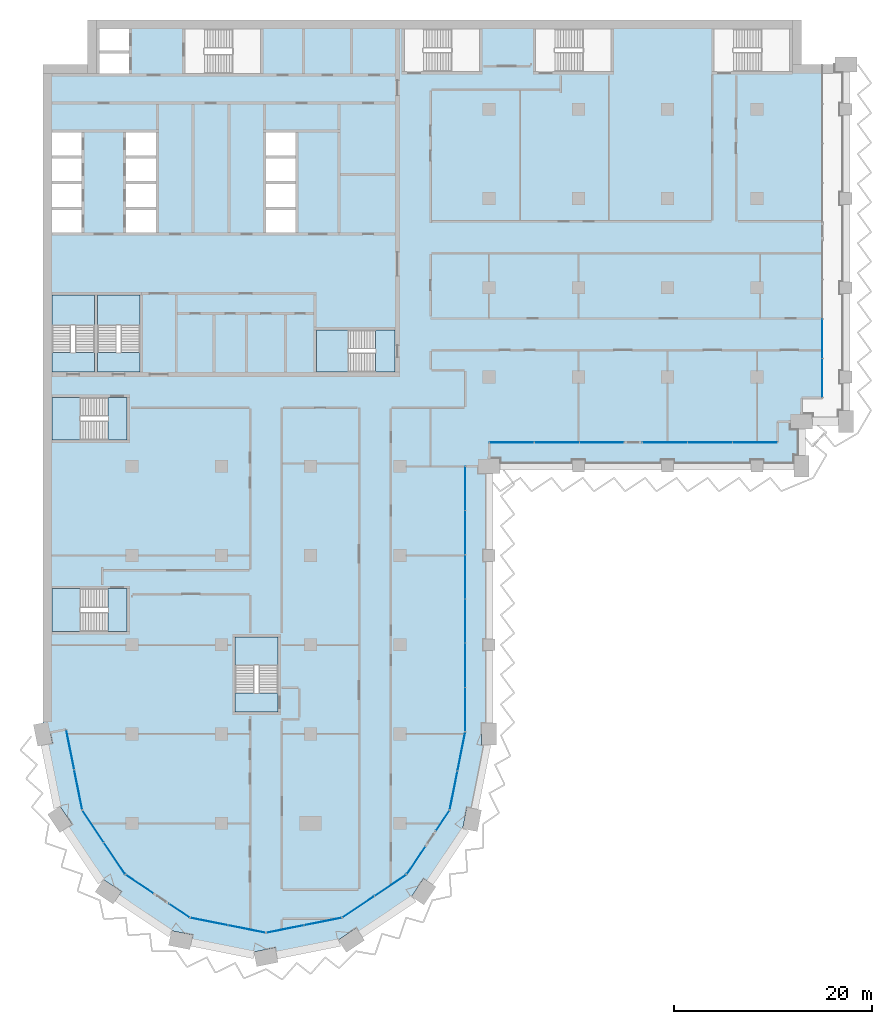
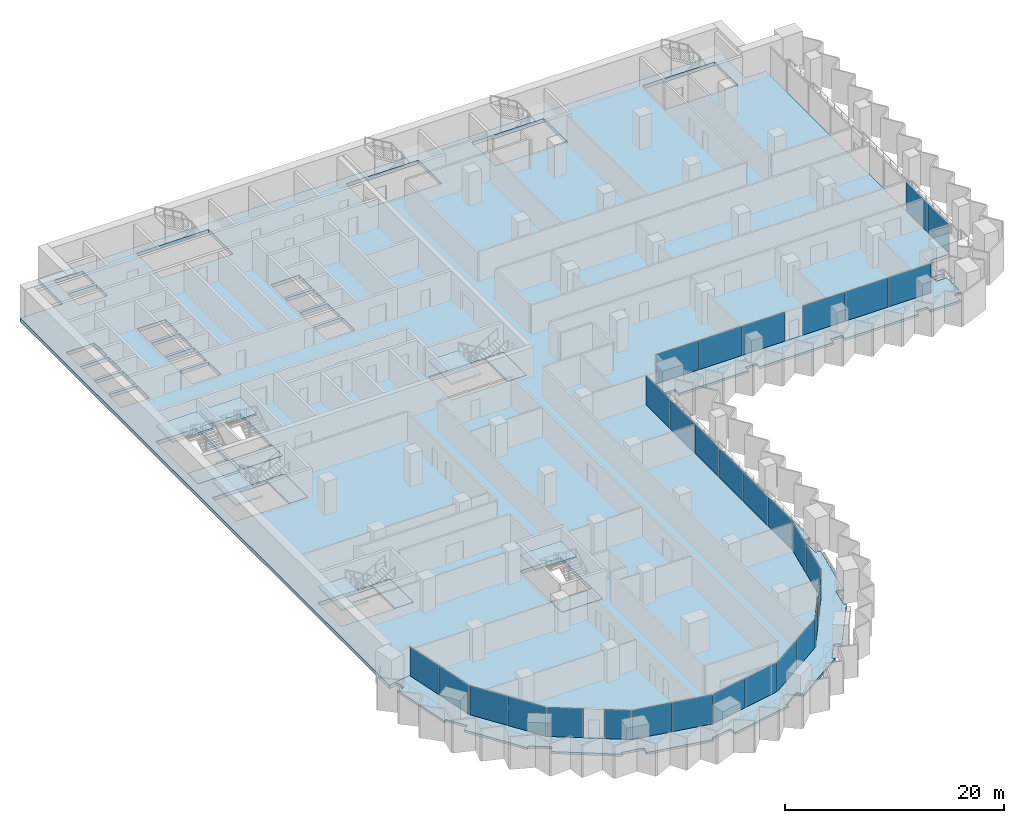
# One storey, part 7 of 23: 30 plates, 15 slabs, 20 elements without a shape of their own.
"""IFC4 building model written with IfcOpenShell, lengths in metres."""

from ifc_helpers import new_model, si_unit, direction, frame, origin, origin_2d, place, context, subcontext, project, spatial, polyline, rectangle, outline, extrude, material, layer, layer_set, type_object, element, aggregate, save


model = new_model("IFC4")

# Units and contexts
model_context = context("Model", 3, precision=1e-05, world=origin(), true_north=direction((0.0, 1.0)))
body_context = subcontext(model_context, "Body", "Model", "MODEL_VIEW")
ifc_project = project(units=[si_unit("LENGTHUNIT", "METRE"), si_unit("AREAUNIT", "SQUARE_METRE"), si_unit("VOLUMEUNIT", "CUBIC_METRE"), si_unit("PLANEANGLEUNIT", "RADIAN"), si_unit("MASSUNIT", "GRAM", prefix="KILO")], contexts=[model_context])

# Site, building, storey
site_placement = place(None, origin())
site = spatial("IfcSite", under=ifc_project, at=site_placement, CompositionType="ELEMENT")
building_placement = place(site_placement, origin())
building = spatial("IfcBuilding", under=site, at=building_placement, Name="Hunhe Ridgeline Campus", CompositionType="ELEMENT")
storey_placement = place(building_placement, frame((0.0, 0.0, 103.300048828125)))
storey = spatial("IfcBuildingStorey", under=building, at=storey_placement, Name="L25", CompositionType="ELEMENT", Elevation=103.300048828125)

# Curtain wall, plates
ifc_material_1 = material(Name="Aluminium 6063", Category="aluminium")
curtain_wall_type_1 = type_object("IfcCurtainWallType", Name="Curtain wall CW-5", PredefinedType="NOTDEFINED", material=ifc_material_1)
curtain_wall_1_placement = place(storey_placement, origin())
curtain_wall_1 = element("IfcCurtainWall", 1, at=curtain_wall_1_placement, inside=storey, type_object=curtain_wall_type_1, Name="Curtain wall 01", PredefinedType="NOTDEFINED")
ifc_material_2 = material(Name="Low-e laminated glass", Category="glass")
ifc_layer_1 = layer(ifc_material_2, 0.028076171875)
ifc_layer_set_1 = layer_set([ifc_layer_1], Name="Curtain wall glass panel 28 low-e laminated")
plate_type = type_object("IfcPlateType", Name="Curtain wall glass panel 28 low-e laminated", PredefinedType="CURTAIN_PANEL", material=ifc_layer_set_1)
plate_1_placement = place(storey_placement, frame((2.76318359375, 25.416015625, 0.0), z_axis=(0.0, 0.0, 1.0), x_axis=(0.195095347137, -0.980784280831, 0.0)))
plate_1 = element("IfcPlate", 2, at=plate_1_placement, type_object=plate_type, Name="CW-5 panel 1", PredefinedType="CURTAIN_PANEL", context=body_context, shape_type="SweptSolid", body=[
    extrude(rectangle(XDim=4.0458984375, YDim=0.028076171875, at=origin_2d()), origin(), (0.0, 0.0, 1.0), 3.22998046875),
])
plate_2_placement = place(storey_placement, frame((3.566162109375, 21.379150390625, 0.0), z_axis=(0.0, 0.0, 1.0), x_axis=(0.195095347137, -0.980784280831, 0.0)))
plate_2 = element("IfcPlate", 3, at=plate_2_placement, type_object=plate_type, Name="CW-5 panel 2", PredefinedType="CURTAIN_PANEL", context=body_context, shape_type="SweptSolid", body=[
    extrude(rectangle(XDim=4.0458984375, YDim=0.028076171875, at=origin_2d()), origin(), (0.0, 0.0, 1.0), 3.22998046875),
])
aggregate(curtain_wall_1, [plate_1, plate_2])

curtain_wall_2_placement = place(storey_placement, origin())
curtain_wall_2 = element("IfcCurtainWall", 4, at=curtain_wall_2_placement, inside=storey, type_object=curtain_wall_type_1, Name="Curtain wall 02", PredefinedType="NOTDEFINED")
plate_3_placement = place(storey_placement, frame((5.07080078125, 17.685546875, 0.0), z_axis=(0.0, 0.0, 1.0), x_axis=(0.555570274596, -0.831469584522, 0.0)))
plate_3 = element("IfcPlate", 5, at=plate_3_placement, type_object=plate_type, Name="CW-5 panel 1", PredefinedType="CURTAIN_PANEL", context=body_context, shape_type="SweptSolid", body=[
    extrude(rectangle(XDim=3.806884765625, YDim=0.028076171875, at=origin_2d()), origin(), (0.0, 0.0, 1.0), 3.22998046875),
])
plate_4_placement = place(storey_placement, frame((7.224609375, 14.4619140625, 0.0), z_axis=(0.0, 0.0, 1.0), x_axis=(0.555570274596, -0.831469584522, 0.0)))
plate_4 = element("IfcPlate", 6, at=plate_4_placement, type_object=plate_type, Name="CW-5 panel 2", PredefinedType="CURTAIN_PANEL", context=body_context, shape_type="SweptSolid", body=[
    extrude(rectangle(XDim=3.806884765625, YDim=0.028076171875, at=origin_2d()), origin(), (0.0, 0.0, 1.0), 3.22998046875),
])
aggregate(curtain_wall_2, [plate_3, plate_4])

# Curtain wall, plate
curtain_wall_3_placement = place(storey_placement, origin())
curtain_wall_3 = element("IfcCurtainWall", 7, at=curtain_wall_3_placement, inside=storey, type_object=curtain_wall_type_1, Name="Curtain wall 03", PredefinedType="NOTDEFINED")
plate_5_placement = place(storey_placement, frame((9.76025390625, 11.859375, 0.0), z_axis=(0.0, 0.0, 1.0), x_axis=(0.831469595944, -0.555570257501, 0.0)))
plate_5 = element("IfcPlate", 8, at=plate_5_placement, type_object=plate_type, Name="CW-5 panel 1", PredefinedType="CURTAIN_PANEL", context=body_context, shape_type="SweptSolid", body=[
    extrude(rectangle(XDim=3.322021484375, YDim=0.028076171875, at=origin_2d()), origin(), (0.0, 0.0, 1.0), 3.22998046875),
])
aggregate(curtain_wall_3, [plate_5])

curtain_wall_4_placement = place(storey_placement, origin())
curtain_wall_4 = element("IfcCurtainWall", 9, at=curtain_wall_4_placement, inside=storey, type_object=curtain_wall_type_1, Name="Curtain wall 04", PredefinedType="NOTDEFINED")
plate_6_placement = place(storey_placement, frame((13.761474609375, 9.18603515625, 0.0), z_axis=(0.0, 0.0, 1.0), x_axis=(0.831469510353, -0.555570385598, 0.0)))
plate_6 = element("IfcPlate", 10, at=plate_6_placement, type_object=plate_type, Name="CW-5 panel 1", PredefinedType="CURTAIN_PANEL", context=body_context, shape_type="SweptSolid", body=[
    extrude(rectangle(XDim=2.421875, YDim=0.028076171875, at=origin_2d()), origin(), (0.0, 0.0, 1.0), 3.22998046875),
])
aggregate(curtain_wall_4, [plate_6])

# Curtain wall, plates
curtain_wall_5_placement = place(storey_placement, origin())
curtain_wall_5 = element("IfcCurtainWall", 11, at=curtain_wall_5_placement, inside=storey, type_object=curtain_wall_type_1, Name="Curtain wall 05", PredefinedType="NOTDEFINED")
plate_7_placement = place(storey_placement, frame((16.761962890625, 8.08935546875, 0.0), z_axis=(0.0, 0.0, 1.0), x_axis=(0.980785275326, -0.195090347539, 0.0)))
plate_7 = element("IfcPlate", 12, at=plate_7_placement, type_object=plate_type, Name="CW-5 panel 1", PredefinedType="CURTAIN_PANEL", context=body_context, shape_type="SweptSolid", body=[
    extrude(rectangle(XDim=3.806884765625, YDim=0.028076171875, at=origin_2d()), origin(), (0.0, 0.0, 1.0), 3.22998046875),
])
plate_8_placement = place(storey_placement, frame((20.564453125, 7.3330078125, 0.0), z_axis=(0.0, 0.0, 1.0), x_axis=(0.980785275326, -0.195090347539, 0.0)))
plate_8 = element("IfcPlate", 13, at=plate_8_placement, type_object=plate_type, Name="CW-5 panel 2", PredefinedType="CURTAIN_PANEL", context=body_context, shape_type="SweptSolid", body=[
    extrude(rectangle(XDim=3.806884765625, YDim=0.028076171875, at=origin_2d()), origin(), (0.0, 0.0, 1.0), 3.22998046875),
])
aggregate(curtain_wall_5, [plate_7, plate_8])

curtain_wall_6_placement = place(storey_placement, origin())
curtain_wall_6 = element("IfcCurtainWall", 14, at=curtain_wall_6_placement, inside=storey, type_object=curtain_wall_type_1, Name="Curtain wall 06", PredefinedType="NOTDEFINED")
plate_9_placement = place(storey_placement, frame((24.435546875, 7.3330078125, 0.0), z_axis=(0.0, 0.0, 1.0), x_axis=(0.980785275326, 0.195090347539, 0.0)))
plate_9 = element("IfcPlate", 15, at=plate_9_placement, type_object=plate_type, Name="CW-5 panel 1", PredefinedType="CURTAIN_PANEL", context=body_context, shape_type="SweptSolid", body=[
    extrude(rectangle(XDim=3.806884765625, YDim=0.028076171875, at=origin_2d()), origin(), (0.0, 0.0, 1.0), 3.22998046875),
])
plate_10_placement = place(storey_placement, frame((28.238037109375, 8.08935546875, 0.0), z_axis=(0.0, 0.0, 1.0), x_axis=(0.980785275326, 0.195090347539, 0.0)))
plate_10 = element("IfcPlate", 16, at=plate_10_placement, type_object=plate_type, Name="CW-5 panel 2", PredefinedType="CURTAIN_PANEL", context=body_context, shape_type="SweptSolid", body=[
    extrude(rectangle(XDim=3.806884765625, YDim=0.028076171875, at=origin_2d()), origin(), (0.0, 0.0, 1.0), 3.22998046875),
])
aggregate(curtain_wall_6, [plate_9, plate_10])

curtain_wall_7_placement = place(storey_placement, origin())
curtain_wall_7 = element("IfcCurtainWall", 17, at=curtain_wall_7_placement, inside=storey, type_object=curtain_wall_type_1, Name="Curtain wall 07", PredefinedType="NOTDEFINED")
plate_11_placement = place(storey_placement, frame((31.814453125, 9.57080078125, 0.0), z_axis=(0.0, 0.0, 1.0), x_axis=(0.831469584522, 0.555570274596, 0.0)))
plate_11 = element("IfcPlate", 18, at=plate_11_placement, type_object=plate_type, Name="CW-5 panel 1", PredefinedType="CURTAIN_PANEL", context=body_context, shape_type="SweptSolid", body=[
    extrude(rectangle(XDim=3.806884765625, YDim=0.028076171875, at=origin_2d()), origin(), (0.0, 0.0, 1.0), 3.22998046875),
])
plate_12_placement = place(storey_placement, frame((35.0380859375, 11.724609375, 0.0), z_axis=(0.0, 0.0, 1.0), x_axis=(0.831469584522, 0.555570274596, 0.0)))
plate_12 = element("IfcPlate", 19, at=plate_12_placement, type_object=plate_type, Name="CW-5 panel 2", PredefinedType="CURTAIN_PANEL", context=body_context, shape_type="SweptSolid", body=[
    extrude(rectangle(XDim=3.806884765625, YDim=0.028076171875, at=origin_2d()), origin(), (0.0, 0.0, 1.0), 3.22998046875),
])
aggregate(curtain_wall_7, [plate_11, plate_12])

# Curtain wall, plate
curtain_wall_8_placement = place(storey_placement, origin())
curtain_wall_8 = element("IfcCurtainWall", 20, at=curtain_wall_8_placement, inside=storey, type_object=curtain_wall_type_1, Name="Curtain wall 08", PredefinedType="NOTDEFINED")
plate_13_placement = place(storey_placement, frame((37.640625, 14.26025390625, 0.0), z_axis=(0.0, 0.0, 1.0), x_axis=(0.555570257501, 0.831469595944, 0.0)))
plate_13 = element("IfcPlate", 21, at=plate_13_placement, type_object=plate_type, Name="CW-5 panel 1", PredefinedType="CURTAIN_PANEL", context=body_context, shape_type="SweptSolid", body=[
    extrude(rectangle(XDim=3.322021484375, YDim=0.028076171875, at=origin_2d()), origin(), (0.0, 0.0, 1.0), 3.22998046875),
])
aggregate(curtain_wall_8, [plate_13])

curtain_wall_9_placement = place(storey_placement, origin())
curtain_wall_9 = element("IfcCurtainWall", 22, at=curtain_wall_9_placement, inside=storey, type_object=curtain_wall_type_1, Name="Curtain wall 09", PredefinedType="NOTDEFINED")
plate_14_placement = place(storey_placement, frame((40.31396484375, 18.261474609375, 0.0), z_axis=(0.0, 0.0, 1.0), x_axis=(0.555570385598, 0.831469510353, 0.0)))
plate_14 = element("IfcPlate", 23, at=plate_14_placement, type_object=plate_type, Name="CW-5 panel 1", PredefinedType="CURTAIN_PANEL", context=body_context, shape_type="SweptSolid", body=[
    extrude(rectangle(XDim=2.421875, YDim=0.028076171875, at=origin_2d()), origin(), (0.0, 0.0, 1.0), 3.22998046875),
])
aggregate(curtain_wall_9, [plate_14])

# Curtain wall, plates
curtain_wall_10_placement = place(storey_placement, origin())
curtain_wall_10 = element("IfcCurtainWall", 24, at=curtain_wall_10_placement, inside=storey, type_object=curtain_wall_type_1, Name="Curtain wall 10", PredefinedType="NOTDEFINED")
plate_15_placement = place(storey_placement, frame((41.42236328125, 21.321044921875, 0.0), z_axis=(0.0, 0.0, 1.0), x_axis=(0.195090299215, 0.980785284939, 0.0)))
plate_15 = element("IfcPlate", 25, at=plate_15_placement, type_object=plate_type, Name="CW-5 panel 1", PredefinedType="CURTAIN_PANEL", context=body_context, shape_type="SweptSolid", body=[
    extrude(rectangle(XDim=3.927490234375, YDim=0.028076171875, at=origin_2d()), origin(), (0.0, 0.0, 1.0), 3.22998046875),
])
plate_16_placement = place(storey_placement, frame((42.2021484375, 25.24169921875, 0.0), z_axis=(0.0, 0.0, 1.0), x_axis=(0.195090299215, 0.980785284939, 0.0)))
plate_16 = element("IfcPlate", 26, at=plate_16_placement, type_object=plate_type, Name="CW-5 panel 2", PredefinedType="CURTAIN_PANEL", context=body_context, shape_type="SweptSolid", body=[
    extrude(rectangle(XDim=3.927490234375, YDim=0.028076171875, at=origin_2d()), origin(), (0.0, 0.0, 1.0), 3.22998046875),
])
aggregate(curtain_wall_10, [plate_15, plate_16])

curtain_wall_type_2 = type_object("IfcCurtainWallType", Name="Curtain wall CW-1", PredefinedType="NOTDEFINED", material=ifc_material_1)
curtain_wall_11_placement = place(storey_placement, origin())
curtain_wall_11 = element("IfcCurtainWall", 27, at=curtain_wall_11_placement, inside=storey, type_object=curtain_wall_type_2, Name="Curtain wall 11", PredefinedType="NOTDEFINED")
plate_17_placement = place(storey_placement, frame((42.59912109375, 29.48193359375, 0.0), z_axis=(0.0, 0.0, 1.0), x_axis=(1.0947456e-05, 0.99999999994, 0.0)))
plate_17 = element("IfcPlate", 28, at=plate_17_placement, type_object=plate_type, Name="CW-1 panel 1", PredefinedType="CURTAIN_PANEL", context=body_context, shape_type="SweptSolid", body=[
    extrude(rectangle(XDim=4.37060546875, YDim=0.028076171875, at=origin_2d()), origin(), (0.0, 0.0, 1.0), 3.239990234375),
])
plate_18_placement = place(storey_placement, frame((42.59912109375, 33.927490234375, 0.0), z_axis=(0.0, 0.0, 1.0), x_axis=(1.0947456e-05, 0.99999999994, 0.0)))
plate_18 = element("IfcPlate", 29, at=plate_18_placement, type_object=plate_type, Name="CW-1 panel 2", PredefinedType="CURTAIN_PANEL", context=body_context, shape_type="SweptSolid", body=[
    extrude(rectangle(XDim=4.400634765625, YDim=0.028076171875, at=origin_2d()), origin(), (0.0, 0.0, 1.0), 3.239990234375),
])
plate_19_placement = place(storey_placement, frame((42.59912109375, 38.38818359375, 0.0), z_axis=(0.0, 0.0, 1.0), x_axis=(1.0947456e-05, 0.99999999994, 0.0)))
plate_19 = element("IfcPlate", 30, at=plate_19_placement, type_object=plate_type, Name="CW-1 panel 3", PredefinedType="CURTAIN_PANEL", context=body_context, shape_type="SweptSolid", body=[
    extrude(rectangle(XDim=4.400634765625, YDim=0.028076171875, at=origin_2d()), origin(), (0.0, 0.0, 1.0), 3.239990234375),
])
plate_20_placement = place(storey_placement, frame((42.59912109375, 42.848876953125, 0.0), z_axis=(0.0, 0.0, 1.0), x_axis=(1.0947456e-05, 0.99999999994, 0.0)))
plate_20 = element("IfcPlate", 31, at=plate_20_placement, type_object=plate_type, Name="CW-1 panel 4", PredefinedType="CURTAIN_PANEL", context=body_context, shape_type="SweptSolid", body=[
    extrude(rectangle(XDim=4.400634765625, YDim=0.028076171875, at=origin_2d()), origin(), (0.0, 0.0, 1.0), 3.239990234375),
])
plate_21_placement = place(storey_placement, frame((42.59912109375, 47.3095703125, 0.0), z_axis=(0.0, 0.0, 1.0), x_axis=(1.0947456e-05, 0.99999999994, 0.0)))
plate_21 = element("IfcPlate", 32, at=plate_21_placement, type_object=plate_type, Name="CW-1 panel 5", PredefinedType="CURTAIN_PANEL", context=body_context, shape_type="SweptSolid", body=[
    extrude(rectangle(XDim=4.400634765625, YDim=0.028076171875, at=origin_2d()), origin(), (0.0, 0.0, 1.0), 3.239990234375),
])
plate_22_placement = place(storey_placement, frame((42.599365234375, 51.75537109375, 0.0), z_axis=(0.0, 0.0, 1.0), x_axis=(1.0947456e-05, 0.99999999994, 0.0)))
plate_22 = element("IfcPlate", 33, at=plate_22_placement, type_object=plate_type, Name="CW-1 panel 6", PredefinedType="CURTAIN_PANEL", context=body_context, shape_type="SweptSolid", body=[
    extrude(rectangle(XDim=4.37060546875, YDim=0.028076171875, at=origin_2d()), origin(), (0.0, 0.0, 1.0), 3.239990234375),
])
aggregate(curtain_wall_11, [plate_17, plate_18, plate_19, plate_20, plate_21, plate_22])

curtain_wall_12_placement = place(storey_placement, origin())
curtain_wall_12 = element("IfcCurtainWall", 34, at=curtain_wall_12_placement, inside=storey, type_object=curtain_wall_type_2, Name="Curtain wall 12", PredefinedType="NOTDEFINED")
plate_23_placement = place(storey_placement, frame((47.289794921875, 56.40087890625, 0.0), z_axis=(0.0, 0.0, 1.0), x_axis=(1.0, 1.4652e-07, 0.0)))
plate_23 = element("IfcPlate", 35, at=plate_23_placement, type_object=plate_type, Name="CW-1 panel 1", PredefinedType="CURTAIN_PANEL", context=body_context, shape_type="SweptSolid", body=[
    extrude(rectangle(XDim=4.4599609375, YDim=0.028076171875, at=origin_2d()), origin(), (0.0, 0.0, 1.0), 3.239990234375),
])
plate_24_placement = place(storey_placement, frame((51.82470703125, 56.40087890625, 0.0), z_axis=(0.0, 0.0, 1.0), x_axis=(1.0, 1.4652e-07, 0.0)))
plate_24 = element("IfcPlate", 36, at=plate_24_placement, type_object=plate_type, Name="CW-1 panel 2", PredefinedType="CURTAIN_PANEL", context=body_context, shape_type="SweptSolid", body=[
    extrude(rectangle(XDim=4.48974609375, YDim=0.028076171875, at=origin_2d()), origin(), (0.0, 0.0, 1.0), 3.239990234375),
])
plate_25_placement = place(storey_placement, frame((56.359619140625, 56.40087890625, 0.0), z_axis=(0.0, 0.0, 1.0), x_axis=(1.0, 1.4652e-07, 0.0)))
plate_25 = element("IfcPlate", 37, at=plate_25_placement, type_object=plate_type, Name="CW-1 panel 3", PredefinedType="CURTAIN_PANEL", context=body_context, shape_type="SweptSolid", body=[
    extrude(rectangle(XDim=4.4599609375, YDim=0.028076171875, at=origin_2d()), origin(), (0.0, 0.0, 1.0), 3.239990234375),
])
aggregate(curtain_wall_12, [plate_23, plate_24, plate_25])

curtain_wall_13_placement = place(storey_placement, origin())
curtain_wall_13 = element("IfcCurtainWall", 38, at=curtain_wall_13_placement, inside=storey, type_object=curtain_wall_type_2, Name="Curtain wall 13", PredefinedType="NOTDEFINED")
plate_26_placement = place(storey_placement, frame((62.7392578125, 56.40087890625, 0.0), z_axis=(0.0, 0.0, 1.0), x_axis=(1.0, 1.4652e-07, 0.0)))
plate_26 = element("IfcPlate", 39, at=plate_26_placement, type_object=plate_type, Name="CW-1 panel 1", PredefinedType="CURTAIN_PANEL", context=body_context, shape_type="SweptSolid", body=[
    extrude(rectangle(XDim=4.4599609375, YDim=0.028076171875, at=origin_2d()), origin(), (0.0, 0.0, 1.0), 3.239990234375),
])
plate_27_placement = place(storey_placement, frame((67.274169921875, 56.40087890625, 0.0), z_axis=(0.0, 0.0, 1.0), x_axis=(1.0, 1.4652e-07, 0.0)))
plate_27 = element("IfcPlate", 40, at=plate_27_placement, type_object=plate_type, Name="CW-1 panel 2", PredefinedType="CURTAIN_PANEL", context=body_context, shape_type="SweptSolid", body=[
    extrude(rectangle(XDim=4.48974609375, YDim=0.028076171875, at=origin_2d()), origin(), (0.0, 0.0, 1.0), 3.239990234375),
])
plate_28_placement = place(storey_placement, frame((71.80908203125, 56.40087890625, 0.0), z_axis=(0.0, 0.0, 1.0), x_axis=(1.0, 1.4652e-07, 0.0)))
plate_28 = element("IfcPlate", 41, at=plate_28_placement, type_object=plate_type, Name="CW-1 panel 3", PredefinedType="CURTAIN_PANEL", context=body_context, shape_type="SweptSolid", body=[
    extrude(rectangle(XDim=4.4599609375, YDim=0.028076171875, at=origin_2d()), origin(), (0.0, 0.0, 1.0), 3.239990234375),
])
aggregate(curtain_wall_13, [plate_26, plate_27, plate_28])

curtain_wall_14_placement = place(storey_placement, origin())
curtain_wall_14 = element("IfcCurtainWall", 42, at=curtain_wall_14_placement, inside=storey, type_object=curtain_wall_type_2, Name="Curtain wall 14", PredefinedType="NOTDEFINED")
plate_29_placement = place(storey_placement, frame((78.59912109375, 62.9033203125, 0.0), z_axis=(0.0, 0.0, 1.0), x_axis=(0.0, 1.0, 0.0)))
plate_29 = element("IfcPlate", 43, at=plate_29_placement, type_object=plate_type, Name="CW-1 panel 1", PredefinedType="CURTAIN_PANEL", context=body_context, shape_type="SweptSolid", body=[
    extrude(rectangle(XDim=3.884765625, YDim=0.028076171875, at=origin_2d()), origin(), (0.0, 0.0, 1.0), 3.239990234375),
])
plate_30_placement = place(storey_placement, frame((78.59912109375, 66.86328125, 0.0), z_axis=(0.0, 0.0, 1.0), x_axis=(0.0, 1.0, 0.0)))
plate_30 = element("IfcPlate", 44, at=plate_30_placement, type_object=plate_type, Name="CW-1 panel 2", PredefinedType="CURTAIN_PANEL", context=body_context, shape_type="SweptSolid", body=[
    extrude(rectangle(XDim=3.914794921875, YDim=0.028076171875, at=origin_2d()), origin(), (0.0, 0.0, 1.0), 3.239990234375),
])
aggregate(curtain_wall_14, [plate_29, plate_30])

# Slabs
ifc_material_3 = material(Name="Concrete C40", Category="concrete")
ifc_layer_2 = layer(ifc_material_3, 0.39990234375)
ifc_layer_set_2 = layer_set([ifc_layer_2], Name="Floor slab 400 Concrete C40")
slab_type_1 = type_object("IfcSlabType", Name="Floor slab 400 Concrete C40", PredefinedType="FLOOR", material=ifc_layer_set_2)
slab_1_placement = place(storey_placement, frame((0.0, 0.0, -0.400146484375)))
element("IfcSlab", 45, at=slab_1_placement, inside=storey, type_object=slab_type_1, Name="Floor slab L25 1", PredefinedType="FLOOR", context=body_context, shape_type="SweptSolid", body=[
    extrude(outline(polyline([(0.0, 27.0009765625), (2.354736328125, 27.46875), (3.974365234375, 19.326416015625), (8.321044921875, 12.821044921875), (14.826416015625, 8.474365234375), (22.5, 6.947998046875), (30.173583984375, 8.474365234375), (36.678955078125, 12.821044921875), (41.025634765625, 19.326416015625), (42.59912109375, 27.236572265625), (42.599365234375, 54.000732421875), (44.9990234375, 54.0009765625), (45.0, 56.40087890625), (74.09912109375, 56.40087890625), (74.099365234375, 58.500732421875), (76.4990234375, 58.5009765625), (76.499267578125, 60.900634765625), (78.59912109375, 60.90087890625), (78.59912109375, 94.5), (76.5, 94.5), (76.5, 99.0), (4.5, 99.0), (4.5, 94.5), (0.0, 94.5), (0.0, 27.0009765625)]), holes=[polyline([(67.699951171875, 93.800048828125), (75.300048828125, 93.800048828125), (75.300048828125, 98.10009765625), (67.699951171875, 98.10009765625), (67.699951171875, 93.800048828125)]), polyline([(57.300048828125, 93.800048828125), (57.300048828125, 98.10009765625), (49.699951171875, 98.10009765625), (49.699951171875, 93.800048828125), (57.300048828125, 93.800048828125)]), polyline([(44.050048828125, 98.10009765625), (36.449951171875, 98.10009765625), (36.449951171875, 93.800048828125), (44.050048828125, 93.800048828125), (44.050048828125, 98.10009765625)]), polyline([(27.60009765625, 67.75), (27.60009765625, 63.5), (35.5, 63.5), (35.5, 67.75), (27.60009765625, 67.75)]), polyline([(25.5, 85.35009765625), (25.5, 87.64990234375), (22.5, 87.64990234375), (22.5, 85.35009765625), (25.5, 85.35009765625)]), polyline([(25.5, 85.050048828125), (22.5, 85.050048828125), (22.5, 82.75), (25.5, 82.75), (25.5, 85.050048828125)]), polyline([(22.5, 82.449951171875), (22.5, 80.14990234375), (25.5, 80.14990234375), (25.5, 82.449951171875), (22.5, 82.449951171875)]), polyline([(22.5, 77.550048828125), (25.5, 77.550048828125), (25.5, 79.85009765625), (22.5, 79.85009765625), (22.5, 77.550048828125)]), polyline([(19.39990234375, 29.199951171875), (23.699951171875, 29.199951171875), (23.699951171875, 36.800048828125), (19.39990234375, 36.800048828125), (19.39990234375, 29.199951171875)]), polyline([(21.949951171875, 98.10009765625), (14.35009765625, 98.10009765625), (14.35009765625, 93.60009765625), (21.949951171875, 93.60009765625), (21.949951171875, 98.10009765625)]), polyline([(8.39990234375, 82.449951171875), (8.39990234375, 80.14990234375), (11.39990234375, 80.14990234375), (11.39990234375, 82.449951171875), (8.39990234375, 82.449951171875)]), polyline([(11.39990234375, 85.35009765625), (11.39990234375, 87.64990234375), (8.39990234375, 87.64990234375), (8.39990234375, 85.35009765625), (11.39990234375, 85.35009765625)]), polyline([(11.39990234375, 85.050048828125), (8.39990234375, 85.050048828125), (8.39990234375, 82.75), (11.39990234375, 82.75), (11.39990234375, 85.050048828125)]), polyline([(8.39990234375, 77.550048828125), (11.39990234375, 77.550048828125), (11.39990234375, 79.85009765625), (8.39990234375, 79.85009765625), (8.39990234375, 77.550048828125)]), polyline([(5.5, 63.5), (9.800048828125, 63.5), (9.800048828125, 71.25), (5.5, 71.25), (5.5, 63.5)]), polyline([(5.699951171875, 98.10009765625), (5.699951171875, 95.89990234375), (8.699951171875, 95.89990234375), (8.699951171875, 98.10009765625), (5.699951171875, 98.10009765625)]), polyline([(5.699951171875, 93.60009765625), (8.699951171875, 93.60009765625), (8.699951171875, 95.60009765625), (5.699951171875, 95.60009765625), (5.699951171875, 93.60009765625)]), polyline([(0.89990234375, 60.949951171875), (0.89990234375, 56.64990234375), (8.5, 56.64990234375), (8.5, 60.949951171875), (0.89990234375, 60.949951171875)]), polyline([(0.89990234375, 37.35009765625), (8.5, 37.35009765625), (8.5, 41.64990234375), (0.89990234375, 41.64990234375), (0.89990234375, 37.35009765625)]), polyline([(5.199951171875, 63.5), (5.199951171875, 71.25), (0.89990234375, 71.25), (0.89990234375, 63.5), (5.199951171875, 63.5)]), polyline([(3.89990234375, 85.35009765625), (3.89990234375, 87.64990234375), (0.89990234375, 87.64990234375), (0.89990234375, 85.35009765625), (3.89990234375, 85.35009765625)]), polyline([(3.89990234375, 85.050048828125), (0.89990234375, 85.050048828125), (0.89990234375, 82.75), (3.89990234375, 82.75), (3.89990234375, 85.050048828125)]), polyline([(0.89990234375, 82.449951171875), (0.89990234375, 80.14990234375), (3.89990234375, 80.14990234375), (3.89990234375, 82.449951171875), (0.89990234375, 82.449951171875)]), polyline([(0.89990234375, 77.550048828125), (3.89990234375, 77.550048828125), (3.89990234375, 79.85009765625), (0.89990234375, 79.85009765625), (0.89990234375, 77.550048828125)])]), origin(), (0.0, 0.0, 1.0), 0.400146484375),
])
ifc_layer_3 = layer(ifc_material_3, 0.25)
ifc_layer_set_3 = layer_set([ifc_layer_3], Name="Loggia slab 250 Concrete C40")
slab_type_2 = type_object("IfcSlabType", Name="Loggia slab 250 Concrete C40", PredefinedType="FLOOR", material=ifc_layer_set_3)
slab_2_placement = place(storey_placement, frame((0.0, 0.0, -0.25)))
element("IfcSlab", 46, at=slab_2_placement, inside=storey, type_object=slab_type_2, Name="Loggia slab 1", PredefinedType="FLOOR", context=body_context, shape_type="SweptSolid", body=[
    extrude(outline(polyline([(30.173828125, 8.473388671875), (22.5, 6.947021484375), (14.826171875, 8.473388671875), (8.3203125, 12.8203125), (3.973388671875, 19.326171875), (2.35400390625, 27.46826171875), (0.735595703125, 27.146240234375), (0.9501953125, 26.0673828125), (0.214599609375, 25.921142578125), (1.48046875, 19.557373046875), (1.72509765625, 19.720947265625), (2.947509765625, 17.8916015625), (2.32373046875, 17.47509765625), (5.9287109375, 12.080078125), (6.092041015625, 12.32470703125), (7.92138671875, 11.1025390625), (7.504638671875, 10.47900390625), (12.899658203125, 6.874267578125), (12.95703125, 7.162841796875), (15.11474609375, 6.733642578125), (14.968505859375, 5.998046875), (21.332275390625, 4.732177734375), (21.27490234375, 5.02099609375), (23.4326171875, 5.4501953125), (23.578857421875, 4.714599609375), (29.942626953125, 5.98046875), (29.779052734375, 6.22509765625), (31.6083984375, 7.447509765625), (32.02490234375, 6.82373046875), (37.419921875, 10.4287109375), (37.17529296875, 10.592041015625), (38.3974609375, 12.42138671875), (39.02099609375, 12.004638671875), (42.625732421875, 17.399658203125), (42.337158203125, 17.45703125), (42.766357421875, 19.61474609375), (43.501953125, 19.468505859375), (44.78125, 25.89990234375), (44.25, 25.89990234375), (44.25, 28.10009765625), (45.0, 28.10009765625), (45.0, 35.39990234375), (44.39990234375, 35.39990234375), (44.39990234375, 36.60009765625), (45.0, 36.60009765625), (45.0, 44.39990234375), (44.39990234375, 44.39990234375), (44.39990234375, 45.60009765625), (45.0, 45.60009765625), (45.0, 53.25), (43.89990234375, 53.25), (43.89990234375, 54.0), (42.60009765625, 54.0), (42.60009765625, 27.236328125), (41.026611328125, 19.326171875), (36.6796875, 12.8203125), (30.173828125, 8.473388671875)])), origin(), (0.0, 0.0, 1.0), 0.25),
])
slab_3_placement = place(storey_placement, frame((0.0, 0.0, -0.25)))
element("IfcSlab", 47, at=slab_3_placement, inside=storey, type_object=slab_type_2, Name="Loggia slab 2", PredefinedType="FLOOR", context=body_context, shape_type="SweptSolid", body=[
    extrude(outline(polyline([(45.0, 54.75), (46.10009765625, 54.75), (46.10009765625, 54.0), (53.39990234375, 54.0), (53.39990234375, 54.60009765625), (54.60009765625, 54.60009765625), (54.60009765625, 54.0), (62.39990234375, 54.0), (62.39990234375, 54.60009765625), (63.60009765625, 54.60009765625), (63.60009765625, 54.0), (71.39990234375, 54.0), (71.39990234375, 54.60009765625), (72.60009765625, 54.60009765625), (72.60009765625, 54.0), (75.75, 54.0), (75.75, 55.10009765625), (76.5, 55.10009765625), (76.5, 57.75), (75.39990234375, 57.75), (75.39990234375, 58.5), (74.10009765625, 58.5), (74.10009765625, 56.39990234375), (45.0, 56.39990234375), (45.0, 54.75)])), origin(), (0.0, 0.0, 1.0), 0.25),
])

# Stair, slab
stair_type = type_object("IfcStairType", Name="Reinforced concrete dog-leg stair 1950 Concrete C40", PredefinedType="HALF_TURN_STAIR", material=ifc_material_3)
stair_1_placement = place(storey_placement, origin())
stair_1 = element("IfcStair", 48, at=stair_1_placement, inside=storey, type_object=stair_type, Name="L25 S2", PredefinedType="HALF_TURN_STAIR")
ifc_layer_4 = layer(ifc_material_3, 0.199951171875)
ifc_layer_set_4 = layer_set([ifc_layer_4], Name="Reinforced concrete stair landing 200 Concrete C40")
slab_type_3 = type_object("IfcSlabType", Name="Reinforced concrete stair landing 200 Concrete C40", PredefinedType="LANDING", material=ifc_layer_set_4)
slab_4_placement = place(storey_placement, frame((0.0, 0.0, 1.64990234375)))
slab_4 = element("IfcSlab", 49, at=slab_4_placement, type_object=slab_type_3, Name="ST2 landing 1", PredefinedType="LANDING", context=body_context, shape_type="SweptSolid", body=[
    extrude(outline(polyline([(30.75, 67.75), (27.60009765625, 67.75), (27.60009765625, 63.5), (30.75, 63.5), (30.75, 67.75)])), origin(), (0.0, 0.0, 1.0), 0.199951171875),
])
aggregate(stair_1, [slab_4])

# Slab
slab_5_placement = place(storey_placement, frame((0.0, 0.0, -0.199951171875)))
element("IfcSlab", 50, at=slab_5_placement, inside=storey, type_object=slab_type_3, Name="L25 stair S2 floor landing", PredefinedType="LANDING", context=body_context, shape_type="SweptSolid", body=[
    extrude(outline(polyline([(35.5, 67.75), (33.550048828125, 67.75), (33.550048828125, 63.5), (35.5, 63.5), (35.5, 67.75)])), origin(), (0.0, 0.0, 1.0), 0.199951171875),
])

# Stair, slab
stair_2_placement = place(storey_placement, origin())
stair_2 = element("IfcStair", 51, at=stair_2_placement, inside=storey, type_object=stair_type, Name="L25 S3", PredefinedType="HALF_TURN_STAIR")
slab_6_placement = place(storey_placement, frame((0.0, 0.0, 1.64990234375)))
slab_6 = element("IfcSlab", 52, at=slab_6_placement, type_object=slab_type_3, Name="ST3 landing 1", PredefinedType="LANDING", context=body_context, shape_type="SweptSolid", body=[
    extrude(outline(polyline([(5.199951171875, 68.25), (5.199951171875, 71.25), (0.89990234375, 71.25), (0.89990234375, 68.25), (5.199951171875, 68.25)])), origin(), (0.0, 0.0, 1.0), 0.199951171875),
])
aggregate(stair_2, [slab_6])

# Slab
slab_7_placement = place(storey_placement, frame((0.0, 0.0, -0.199951171875)))
element("IfcSlab", 53, at=slab_7_placement, inside=storey, type_object=slab_type_3, Name="L25 stair S3 floor landing", PredefinedType="LANDING", context=body_context, shape_type="SweptSolid", body=[
    extrude(outline(polyline([(5.199951171875, 63.5), (5.199951171875, 65.449951171875), (0.89990234375, 65.449951171875), (0.89990234375, 63.5), (5.199951171875, 63.5)])), origin(), (0.0, 0.0, 1.0), 0.199951171875),
])

# Stair, slab
stair_3_placement = place(storey_placement, origin())
stair_3 = element("IfcStair", 54, at=stair_3_placement, inside=storey, type_object=stair_type, Name="L25 S4", PredefinedType="HALF_TURN_STAIR")
slab_8_placement = place(storey_placement, frame((0.0, 0.0, 1.64990234375)))
slab_8 = element("IfcSlab", 55, at=slab_8_placement, type_object=slab_type_3, Name="ST4 landing 1", PredefinedType="LANDING", context=body_context, shape_type="SweptSolid", body=[
    extrude(outline(polyline([(9.800048828125, 68.25), (9.800048828125, 71.25), (5.5, 71.25), (5.5, 68.25), (9.800048828125, 68.25)])), origin(), (0.0, 0.0, 1.0), 0.199951171875),
])
aggregate(stair_3, [slab_8])

# Slab
slab_9_placement = place(storey_placement, frame((0.0, 0.0, -0.199951171875)))
element("IfcSlab", 56, at=slab_9_placement, inside=storey, type_object=slab_type_3, Name="L25 stair S4 floor landing", PredefinedType="LANDING", context=body_context, shape_type="SweptSolid", body=[
    extrude(outline(polyline([(9.800048828125, 63.5), (9.800048828125, 65.449951171875), (5.5, 65.449951171875), (5.5, 63.5), (9.800048828125, 63.5)])), origin(), (0.0, 0.0, 1.0), 0.199951171875),
])

# Stair, slab
stair_4_placement = place(storey_placement, origin())
stair_4 = element("IfcStair", 57, at=stair_4_placement, inside=storey, type_object=stair_type, Name="L25 W3", PredefinedType="HALF_TURN_STAIR")
slab_10_placement = place(storey_placement, frame((0.0, 0.0, 1.64990234375)))
slab_10 = element("IfcSlab", 58, at=slab_10_placement, type_object=slab_type_3, Name="ST9 landing 1", PredefinedType="LANDING", context=body_context, shape_type="SweptSolid", body=[
    extrude(outline(polyline([(23.699951171875, 33.949951171875), (23.699951171875, 36.800048828125), (19.39990234375, 36.800048828125), (19.39990234375, 33.949951171875), (23.699951171875, 33.949951171875)])), origin(), (0.0, 0.0, 1.0), 0.199951171875),
])
aggregate(stair_4, [slab_10])

# Slab
slab_11_placement = place(storey_placement, frame((0.0, 0.0, -0.199951171875)))
element("IfcSlab", 59, at=slab_11_placement, inside=storey, type_object=slab_type_3, Name="L25 stair W3 floor landing", PredefinedType="LANDING", context=body_context, shape_type="SweptSolid", body=[
    extrude(outline(polyline([(23.699951171875, 29.199951171875), (23.699951171875, 31.14990234375), (19.39990234375, 31.14990234375), (19.39990234375, 29.199951171875), (23.699951171875, 29.199951171875)])), origin(), (0.0, 0.0, 1.0), 0.199951171875),
])

# Stair, slab
stair_5_placement = place(storey_placement, origin())
stair_5 = element("IfcStair", 60, at=stair_5_placement, inside=storey, type_object=stair_type, Name="L25 W1", PredefinedType="HALF_TURN_STAIR")
slab_12_placement = place(storey_placement, frame((0.0, 0.0, 1.64990234375)))
slab_12 = element("IfcSlab", 61, at=slab_12_placement, type_object=slab_type_3, Name="ST11 landing 1", PredefinedType="LANDING", context=body_context, shape_type="SweptSolid", body=[
    extrude(outline(polyline([(3.75, 41.64990234375), (0.89990234375, 41.64990234375), (0.89990234375, 37.35009765625), (3.75, 37.35009765625), (3.75, 41.64990234375)])), origin(), (0.0, 0.0, 1.0), 0.199951171875),
])
aggregate(stair_5, [slab_12])

# Slab
slab_13_placement = place(storey_placement, frame((0.0, 0.0, -0.199951171875)))
element("IfcSlab", 62, at=slab_13_placement, inside=storey, type_object=slab_type_3, Name="L25 stair W1 floor landing", PredefinedType="LANDING", context=body_context, shape_type="SweptSolid", body=[
    extrude(outline(polyline([(8.5, 41.64990234375), (6.550048828125, 41.64990234375), (6.550048828125, 37.35009765625), (8.5, 37.35009765625), (8.5, 41.64990234375)])), origin(), (0.0, 0.0, 1.0), 0.199951171875),
])

# Stair, slab
stair_6_placement = place(storey_placement, origin())
stair_6 = element("IfcStair", 63, at=stair_6_placement, inside=storey, type_object=stair_type, Name="L25 W2", PredefinedType="HALF_TURN_STAIR")
slab_14_placement = place(storey_placement, frame((0.0, 0.0, 1.64990234375)))
slab_14 = element("IfcSlab", 64, at=slab_14_placement, type_object=slab_type_3, Name="ST12 landing 1", PredefinedType="LANDING", context=body_context, shape_type="SweptSolid", body=[
    extrude(outline(polyline([(3.75, 60.949951171875), (0.89990234375, 60.949951171875), (0.89990234375, 56.64990234375), (3.75, 56.64990234375), (3.75, 60.949951171875)])), origin(), (0.0, 0.0, 1.0), 0.199951171875),
])
aggregate(stair_6, [slab_14])

# Slab
slab_15_placement = place(storey_placement, frame((0.0, 0.0, -0.199951171875)))
element("IfcSlab", 65, at=slab_15_placement, inside=storey, type_object=slab_type_3, Name="L25 stair W2 floor landing", PredefinedType="LANDING", context=body_context, shape_type="SweptSolid", body=[
    extrude(outline(polyline([(8.5, 60.949951171875), (6.550048828125, 60.949951171875), (6.550048828125, 56.64990234375), (8.5, 56.64990234375), (8.5, 60.949951171875)])), origin(), (0.0, 0.0, 1.0), 0.199951171875),
])

save(model, "model.ifc")
